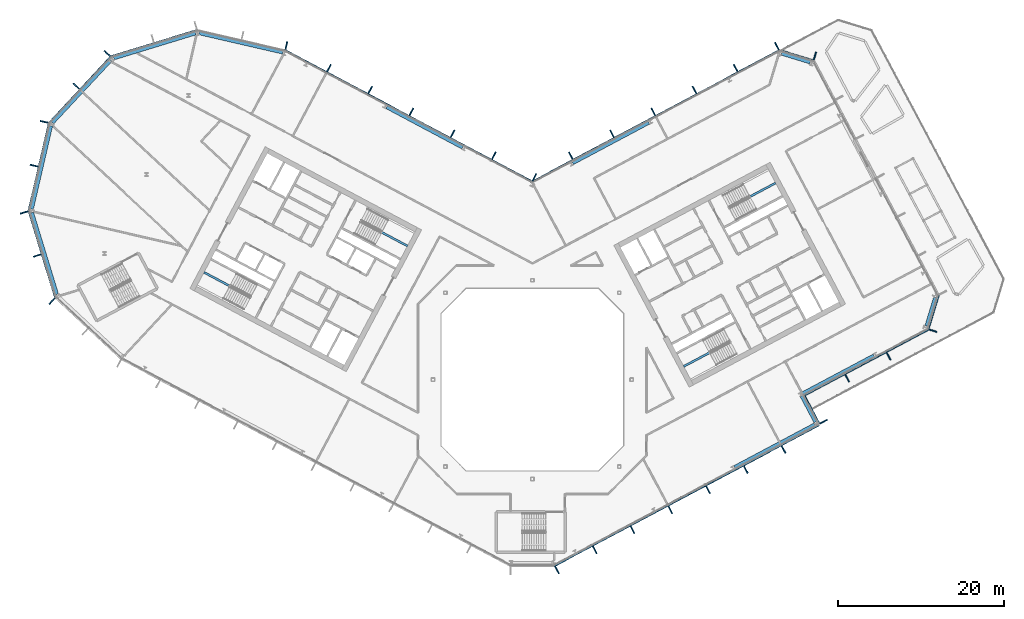
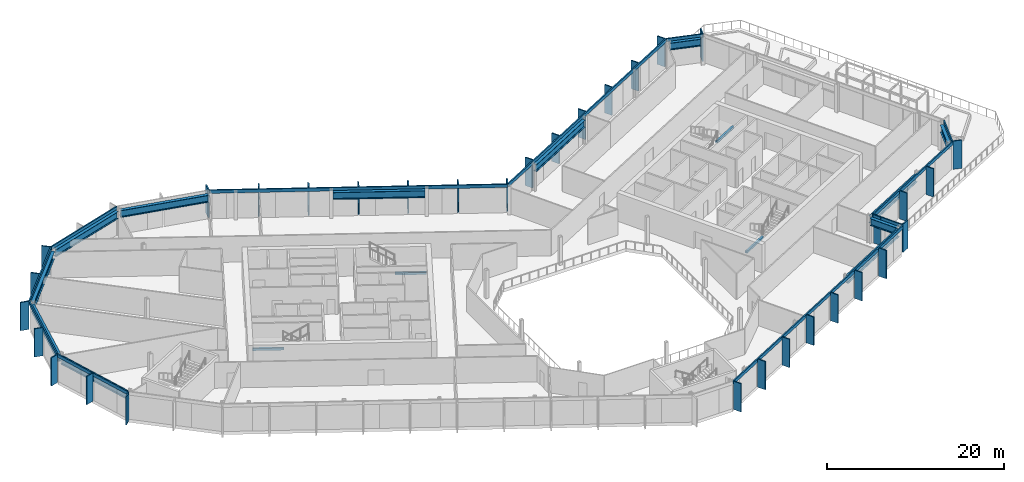
# One storey, part 9 of 31: 44 members, 16 beams, 13 elements without a shape of their own.
"""IFC4 building model written with IfcOpenShell, lengths in metres."""

from ifc_helpers import new_model, si_unit, direction, frame, origin, origin_2d, place, context, subcontext, project, spatial, rectangle, i_section, extrude, material, layer, layer_set, material_profile, profile_set, type_object, element, aggregate, save


model = new_model("IFC4")

# Units and contexts
model_context = context("Model", 3, precision=1e-05, world=origin(), true_north=direction((0.0, 1.0)))
body_context = subcontext(model_context, "Body", "Model", "MODEL_VIEW")
ifc_project = project(units=[si_unit("LENGTHUNIT", "METRE"), si_unit("AREAUNIT", "SQUARE_METRE"), si_unit("VOLUMEUNIT", "CUBIC_METRE"), si_unit("PLANEANGLEUNIT", "RADIAN"), si_unit("MASSUNIT", "GRAM", prefix="KILO")], contexts=[model_context])

# Site, building, storey
site_placement = place(None, origin())
site = spatial("IfcSite", under=ifc_project, at=site_placement, CompositionType="ELEMENT")
building_placement = place(site_placement, origin())
building = spatial("IfcBuilding", under=site, at=building_placement, Name="Cormorant Relay Tower", CompositionType="ELEMENT")
storey_placement = place(building_placement, frame((0.0, 0.0, 189.60009765625)))
storey = spatial("IfcBuildingStorey", under=building, at=storey_placement, Name="L40", CompositionType="ELEMENT", Elevation=189.60009765625)

# Curtain wall, members
ifc_material_1 = material(Name="Aluminium 6063-T6 anodised bronze", Category="aluminium")
ifc_layer = layer(ifc_material_1, 0.199951171875)
ifc_layer_set = layer_set([ifc_layer], Name="CW1 unitised bronze curtain wall with vertical fins")
curtain_wall_type = type_object("IfcCurtainWallType", Name="CW1 unitised bronze curtain wall with vertical fins", PredefinedType="NOTDEFINED", material=ifc_layer_set)
curtain_wall_1_placement = place(storey_placement, origin())
curtain_wall_1 = element("IfcCurtainWall", 1, at=curtain_wall_1_placement, inside=storey, type_object=curtain_wall_type, Name="CW1 curtain wall 2", PredefinedType="NOTDEFINED")
ifc_material_2 = material(Name="Aluminium 6063-T6 anodised bronze", Category="aluminium")
ifc_material_profile_1 = material_profile(ifc_material_2, rectangle(XDim=0.14990234375, YDim=1.0, at=origin_2d()), Name="AL 150x1000")
ifc_profile_set_1 = profile_set([ifc_material_profile_1], Name="Aluminium 6063-T6 anodised bronze")
member_type_1 = type_object("IfcMemberType", Name="CW1 bronze fin mullion 150 x 1000", PredefinedType="MULLION", material=ifc_profile_set_1)
member_1_placement = place(storey_placement, frame((2.9775390625, -22.99365234375, 0.0), z_axis=(0.0, 0.0, 1.0), x_axis=(0.882947592859, 0.469471562786, 0.0)))
member_1 = element("IfcMember", 2, at=member_1_placement, type_object=member_type_1, Name="CW1 fin 2.1", PredefinedType="MULLION", context=body_context, shape_type="SweptSolid", body=[
    extrude(rectangle(XDim=0.14990234375, YDim=1.0, at=origin_2d()), origin(), (0.0, 0.0, 1.0), 3.89990234375),
])
member_2_placement = place(storey_placement, frame((7.539306640625, -20.568115234375, 0.0), z_axis=(0.0, 0.0, 1.0), x_axis=(0.882947592859, 0.469471562786, 0.0)))
member_2 = element("IfcMember", 3, at=member_2_placement, type_object=member_type_1, Name="CW1 fin 2.2", PredefinedType="MULLION", context=body_context, shape_type="SweptSolid", body=[
    extrude(rectangle(XDim=0.14990234375, YDim=1.0, at=origin_2d()), origin(), (0.0, 0.0, 1.0), 3.89990234375),
])
member_3_placement = place(storey_placement, frame((12.10107421875, -18.142578125, 0.0), z_axis=(0.0, 0.0, 1.0), x_axis=(0.882947592859, 0.469471562786, 0.0)))
member_3 = element("IfcMember", 4, at=member_3_placement, type_object=member_type_1, Name="CW1 fin 2.3", PredefinedType="MULLION", context=body_context, shape_type="SweptSolid", body=[
    extrude(rectangle(XDim=0.14990234375, YDim=1.0, at=origin_2d()), origin(), (0.0, 0.0, 1.0), 3.89990234375),
])
member_4_placement = place(storey_placement, frame((16.662841796875, -15.717041015625, 0.0), z_axis=(0.0, 0.0, 1.0), x_axis=(0.882947592859, 0.469471562786, 0.0)))
member_4 = element("IfcMember", 5, at=member_4_placement, type_object=member_type_1, Name="CW1 fin 2.4", PredefinedType="MULLION", context=body_context, shape_type="SweptSolid", body=[
    extrude(rectangle(XDim=0.14990234375, YDim=1.0, at=origin_2d()), origin(), (0.0, 0.0, 1.0), 3.89990234375),
])
member_5_placement = place(storey_placement, frame((21.224609375, -13.29150390625, 0.0), z_axis=(0.0, 0.0, 1.0), x_axis=(0.882947592859, 0.469471562786, 0.0)))
member_5 = element("IfcMember", 6, at=member_5_placement, type_object=member_type_1, Name="CW1 fin 2.5", PredefinedType="MULLION", context=body_context, shape_type="SweptSolid", body=[
    extrude(rectangle(XDim=0.14990234375, YDim=1.0, at=origin_2d()), origin(), (0.0, 0.0, 1.0), 3.89990234375),
])
member_6_placement = place(storey_placement, frame((25.78662109375, -10.865966796875, 0.0), z_axis=(0.0, 0.0, 1.0), x_axis=(0.882947592859, 0.469471562786, 0.0)))
member_6 = element("IfcMember", 7, at=member_6_placement, type_object=member_type_1, Name="CW1 fin 2.6", PredefinedType="MULLION", context=body_context, shape_type="SweptSolid", body=[
    extrude(rectangle(XDim=0.14990234375, YDim=1.0, at=origin_2d()), origin(), (0.0, 0.0, 1.0), 3.89990234375),
])
member_7_placement = place(storey_placement, frame((30.348388671875, -8.440185546875, 0.0), z_axis=(0.0, 0.0, 1.0), x_axis=(0.882947592859, 0.469471562786, 0.0)))
member_7 = element("IfcMember", 8, at=member_7_placement, type_object=member_type_1, Name="CW1 fin 2.7", PredefinedType="MULLION", context=body_context, shape_type="SweptSolid", body=[
    extrude(rectangle(XDim=0.14990234375, YDim=1.0, at=origin_2d()), origin(), (0.0, 0.0, 1.0), 3.89990234375),
])

# Curtain wall, member
curtain_wall_2_placement = place(storey_placement, origin())
curtain_wall_2 = element("IfcCurtainWall", 9, at=curtain_wall_2_placement, inside=storey, type_object=curtain_wall_type, Name="CW1 curtain wall 3", PredefinedType="NOTDEFINED")
member_8_placement = place(storey_placement, frame((35.199462890625, -5.068115234375, 0.0), z_axis=(0.0, 0.0, 1.0), x_axis=(-0.469471562786, 0.882947592859, 0.0)))
member_8 = element("IfcMember", 10, at=member_8_placement, type_object=member_type_1, Name="CW1 fin 3.1", PredefinedType="MULLION", context=body_context, shape_type="SweptSolid", body=[
    extrude(rectangle(XDim=0.14990234375, YDim=1.0, at=origin_2d()), origin(), (0.0, 0.0, 1.0), 3.89990234375),
])

# Curtain wall, members
curtain_wall_3_placement = place(storey_placement, origin())
curtain_wall_3 = element("IfcCurtainWall", 11, at=curtain_wall_3_placement, inside=storey, type_object=curtain_wall_type, Name="CW1 curtain wall 4", PredefinedType="NOTDEFINED")
member_9_placement = place(storey_placement, frame((33.098388671875, -2.44775390625, 0.0), z_axis=(0.0, 0.0, 1.0), x_axis=(0.882947592859, 0.469471562786, 0.0)))
member_9 = element("IfcMember", 12, at=member_9_placement, type_object=member_type_1, Name="CW1 fin 4.1", PredefinedType="MULLION", context=body_context, shape_type="SweptSolid", body=[
    extrude(rectangle(XDim=0.14990234375, YDim=1.0, at=origin_2d()), origin(), (0.0, 0.0, 1.0), 3.89990234375),
])
member_10_placement = place(storey_placement, frame((38.035400390625, 0.177490234375, 0.0), z_axis=(0.0, 0.0, 1.0), x_axis=(0.882947592859, 0.469471562786, 0.0)))
member_10 = element("IfcMember", 13, at=member_10_placement, type_object=member_type_1, Name="CW1 fin 4.2", PredefinedType="MULLION", context=body_context, shape_type="SweptSolid", body=[
    extrude(rectangle(XDim=0.14990234375, YDim=1.0, at=origin_2d()), origin(), (0.0, 0.0, 1.0), 3.89990234375),
])
member_11_placement = place(storey_placement, frame((43.038818359375, 2.837646484375, 0.0), z_axis=(0.0, 0.0, 1.0), x_axis=(0.882947592859, 0.469471562786, 0.0)))
member_11 = element("IfcMember", 14, at=member_11_placement, type_object=member_type_1, Name="CW1 fin 4.3", PredefinedType="MULLION", context=body_context, shape_type="SweptSolid", body=[
    extrude(rectangle(XDim=0.14990234375, YDim=1.0, at=origin_2d()), origin(), (0.0, 0.0, 1.0), 3.89990234375),
])

# Curtain wall, member
curtain_wall_4_placement = place(storey_placement, origin())
curtain_wall_4 = element("IfcCurtainWall", 15, at=curtain_wall_4_placement, inside=storey, type_object=curtain_wall_type, Name="CW1 curtain wall 5", PredefinedType="NOTDEFINED")
member_12_placement = place(storey_placement, frame((48.383056640625, 5.91162109375, 0.0), z_axis=(0.0, 0.0, 1.0), x_axis=(0.292371704723, 0.956304755963, 0.0)))
member_12 = element("IfcMember", 16, at=member_12_placement, type_object=member_type_1, Name="CW1 fin 5.1", PredefinedType="MULLION", context=body_context, shape_type="SweptSolid", body=[
    extrude(rectangle(XDim=0.14990234375, YDim=1.0, at=origin_2d()), origin(), (0.0, 0.0, 1.0), 3.89990234375),
])

curtain_wall_5_placement = place(storey_placement, origin())
curtain_wall_5 = element("IfcCurtainWall", 17, at=curtain_wall_5_placement, inside=storey, type_object=curtain_wall_type, Name="CW1 curtain wall 7", PredefinedType="NOTDEFINED")
member_13_placement = place(storey_placement, frame((34.1357421875, 39.09716796875, 0.0), z_axis=(0.0, 0.0, 1.0), x_axis=(-0.956304755963, 0.292371704723, 0.0)))
member_13 = element("IfcMember", 18, at=member_13_placement, type_object=member_type_1, Name="CW1 fin 7.1", PredefinedType="MULLION", context=body_context, shape_type="SweptSolid", body=[
    extrude(rectangle(XDim=0.14990234375, YDim=1.0, at=origin_2d()), origin(), (0.0, 0.0, 1.0), 3.89990234375),
])

# Curtain wall, members
curtain_wall_6_placement = place(storey_placement, origin())
curtain_wall_6 = element("IfcCurtainWall", 19, at=curtain_wall_6_placement, inside=storey, type_object=curtain_wall_type, Name="CW1 curtain wall 8", PredefinedType="NOTDEFINED")
member_14_placement = place(storey_placement, frame((29.545166015625, 40.2861328125, 0.0), z_axis=(0.0, 0.0, 1.0), x_axis=(-0.882947592859, -0.469471562786, 0.0)))
member_14 = element("IfcMember", 20, at=member_14_placement, type_object=member_type_1, Name="CW1 fin 8.1", PredefinedType="MULLION", context=body_context, shape_type="SweptSolid", body=[
    extrude(rectangle(XDim=0.14990234375, YDim=1.0, at=origin_2d()), origin(), (0.0, 0.0, 1.0), 3.89990234375),
])
member_15_placement = place(storey_placement, frame((24.566162109375, 37.638916015625, 0.0), z_axis=(0.0, 0.0, 1.0), x_axis=(-0.882947592859, -0.469471562786, 0.0)))
member_15 = element("IfcMember", 21, at=member_15_placement, type_object=member_type_1, Name="CW1 fin 8.2", PredefinedType="MULLION", context=body_context, shape_type="SweptSolid", body=[
    extrude(rectangle(XDim=0.14990234375, YDim=1.0, at=origin_2d()), origin(), (0.0, 0.0, 1.0), 3.89990234375),
])
member_16_placement = place(storey_placement, frame((19.587158203125, 34.991455078125, 0.0), z_axis=(0.0, 0.0, 1.0), x_axis=(-0.882947592859, -0.469471562786, 0.0)))
member_16 = element("IfcMember", 22, at=member_16_placement, type_object=member_type_1, Name="CW1 fin 8.3", PredefinedType="MULLION", context=body_context, shape_type="SweptSolid", body=[
    extrude(rectangle(XDim=0.14990234375, YDim=1.0, at=origin_2d()), origin(), (0.0, 0.0, 1.0), 3.89990234375),
])
member_17_placement = place(storey_placement, frame((14.608154296875, 32.343994140625, 0.0), z_axis=(0.0, 0.0, 1.0), x_axis=(-0.882947592859, -0.469471562786, 0.0)))
member_17 = element("IfcMember", 23, at=member_17_placement, type_object=member_type_1, Name="CW1 fin 8.4", PredefinedType="MULLION", context=body_context, shape_type="SweptSolid", body=[
    extrude(rectangle(XDim=0.14990234375, YDim=1.0, at=origin_2d()), origin(), (0.0, 0.0, 1.0), 3.89990234375),
])
member_18_placement = place(storey_placement, frame((9.62939453125, 29.69677734375, 0.0), z_axis=(0.0, 0.0, 1.0), x_axis=(-0.882947592859, -0.469471562786, 0.0)))
member_18 = element("IfcMember", 24, at=member_18_placement, type_object=member_type_1, Name="CW1 fin 8.5", PredefinedType="MULLION", context=body_context, shape_type="SweptSolid", body=[
    extrude(rectangle(XDim=0.14990234375, YDim=1.0, at=origin_2d()), origin(), (0.0, 0.0, 1.0), 3.89990234375),
])
member_19_placement = place(storey_placement, frame((4.650390625, 27.04931640625, 0.0), z_axis=(0.0, 0.0, 1.0), x_axis=(-0.882947592859, -0.469471562786, 0.0)))
member_19 = element("IfcMember", 25, at=member_19_placement, type_object=member_type_1, Name="CW1 fin 8.6", PredefinedType="MULLION", context=body_context, shape_type="SweptSolid", body=[
    extrude(rectangle(XDim=0.14990234375, YDim=1.0, at=origin_2d()), origin(), (0.0, 0.0, 1.0), 3.89990234375),
])

curtain_wall_7_placement = place(storey_placement, origin())
curtain_wall_7 = element("IfcCurtainWall", 26, at=curtain_wall_7_placement, inside=storey, type_object=curtain_wall_type, Name="CW1 curtain wall 9", PredefinedType="NOTDEFINED")
member_20_placement = place(storey_placement, frame((0.262451171875, 24.437255859375, 0.0), z_axis=(0.0, 0.0, 1.0), x_axis=(-0.882947592859, 0.469471562786, 0.0)))
member_20 = element("IfcMember", 27, at=member_20_placement, type_object=member_type_1, Name="CW1 fin 9.1", PredefinedType="MULLION", context=body_context, shape_type="SweptSolid", body=[
    extrude(rectangle(XDim=0.14990234375, YDim=1.0, at=origin_2d()), origin(), (0.0, 0.0, 1.0), 3.89990234375),
])
member_21_placement = place(storey_placement, frame((-4.650390625, 27.04931640625, 0.0), z_axis=(0.0, 0.0, 1.0), x_axis=(-0.882947592859, 0.469471562786, 0.0)))
member_21 = element("IfcMember", 28, at=member_21_placement, type_object=member_type_1, Name="CW1 fin 9.2", PredefinedType="MULLION", context=body_context, shape_type="SweptSolid", body=[
    extrude(rectangle(XDim=0.14990234375, YDim=1.0, at=origin_2d()), origin(), (0.0, 0.0, 1.0), 3.89990234375),
])
member_22_placement = place(storey_placement, frame((-9.62939453125, 29.69677734375, 0.0), z_axis=(0.0, 0.0, 1.0), x_axis=(-0.882947592859, 0.469471562786, 0.0)))
member_22 = element("IfcMember", 29, at=member_22_placement, type_object=member_type_1, Name="CW1 fin 9.3", PredefinedType="MULLION", context=body_context, shape_type="SweptSolid", body=[
    extrude(rectangle(XDim=0.14990234375, YDim=1.0, at=origin_2d()), origin(), (0.0, 0.0, 1.0), 3.89990234375),
])
member_23_placement = place(storey_placement, frame((-14.608154296875, 32.343994140625, 0.0), z_axis=(0.0, 0.0, 1.0), x_axis=(-0.882947592859, 0.469471562786, 0.0)))
member_23 = element("IfcMember", 30, at=member_23_placement, type_object=member_type_1, Name="CW1 fin 9.4", PredefinedType="MULLION", context=body_context, shape_type="SweptSolid", body=[
    extrude(rectangle(XDim=0.14990234375, YDim=1.0, at=origin_2d()), origin(), (0.0, 0.0, 1.0), 3.89990234375),
])
member_24_placement = place(storey_placement, frame((-19.587158203125, 34.991455078125, 0.0), z_axis=(0.0, 0.0, 1.0), x_axis=(-0.882947592859, 0.469471562786, 0.0)))
member_24 = element("IfcMember", 31, at=member_24_placement, type_object=member_type_1, Name="CW1 fin 9.5", PredefinedType="MULLION", context=body_context, shape_type="SweptSolid", body=[
    extrude(rectangle(XDim=0.14990234375, YDim=1.0, at=origin_2d()), origin(), (0.0, 0.0, 1.0), 3.89990234375),
])
member_25_placement = place(storey_placement, frame((-24.566162109375, 37.638916015625, 0.0), z_axis=(0.0, 0.0, 1.0), x_axis=(-0.882947592859, 0.469471562786, 0.0)))
member_25 = element("IfcMember", 32, at=member_25_placement, type_object=member_type_1, Name="CW1 fin 9.6", PredefinedType="MULLION", context=body_context, shape_type="SweptSolid", body=[
    extrude(rectangle(XDim=0.14990234375, YDim=1.0, at=origin_2d()), origin(), (0.0, 0.0, 1.0), 3.89990234375),
])

# Curtain wall, member
curtain_wall_8_placement = place(storey_placement, origin())
curtain_wall_8 = element("IfcCurtainWall", 33, at=curtain_wall_8_placement, inside=storey, type_object=curtain_wall_type, Name="CW1 curtain wall 10", PredefinedType="NOTDEFINED")
member_26_placement = place(storey_placement, frame((-29.71630859375, 40.35009765625, 0.0), z_axis=(0.0, 0.0, 1.0), x_axis=(-0.974370064785, 0.224951054344, 0.0)))
member_26 = element("IfcMember", 34, at=member_26_placement, type_object=member_type_1, Name="CW1 fin 10.1", PredefinedType="MULLION", context=body_context, shape_type="SweptSolid", body=[
    extrude(rectangle(XDim=0.14990234375, YDim=1.0, at=origin_2d()), origin(), (0.0, 0.0, 1.0), 3.89990234375),
])
aggregate(curtain_wall_8, [member_26])

# Curtain wall, members
curtain_wall_9_placement = place(storey_placement, origin())
curtain_wall_9 = element("IfcCurtainWall", 35, at=curtain_wall_9_placement, inside=storey, type_object=curtain_wall_type, Name="CW1 curtain wall 12", PredefinedType="NOTDEFINED")
member_27_placement = place(storey_placement, frame((-51.372802734375, 39.41259765625, 0.0), z_axis=(0.0, 0.0, 1.0), x_axis=(-0.681998360062, -0.731353701619, 0.0)))
member_27 = element("IfcMember", 36, at=member_27_placement, type_object=member_type_1, Name="CW1 fin 12.1", PredefinedType="MULLION", context=body_context, shape_type="SweptSolid", body=[
    extrude(rectangle(XDim=0.14990234375, YDim=1.0, at=origin_2d()), origin(), (0.0, 0.0, 1.0), 3.89990234375),
])
member_28_placement = place(storey_placement, frame((-55.07958984375, 35.4375, 0.0), z_axis=(0.0, 0.0, 1.0), x_axis=(-0.681998360062, -0.731353701619, 0.0)))
member_28 = element("IfcMember", 37, at=member_28_placement, type_object=member_type_1, Name="CW1 fin 12.2", PredefinedType="MULLION", context=body_context, shape_type="SweptSolid", body=[
    extrude(rectangle(XDim=0.14990234375, YDim=1.0, at=origin_2d()), origin(), (0.0, 0.0, 1.0), 3.89990234375),
])

curtain_wall_10_placement = place(storey_placement, origin())
curtain_wall_10 = element("IfcCurtainWall", 38, at=curtain_wall_10_placement, inside=storey, type_object=curtain_wall_type, Name="CW1 curtain wall 13", PredefinedType="NOTDEFINED")
member_29_placement = place(storey_placement, frame((-58.95654296875, 31.142578125, 0.0), z_axis=(0.0, 0.0, 1.0), x_axis=(-0.224951054344, -0.974370064785, 0.0)))
member_29 = element("IfcMember", 39, at=member_29_placement, type_object=member_type_1, Name="CW1 fin 13.1", PredefinedType="MULLION", context=body_context, shape_type="SweptSolid", body=[
    extrude(rectangle(XDim=0.14990234375, YDim=1.0, at=origin_2d()), origin(), (0.0, 0.0, 1.0), 3.89990234375),
])
member_30_placement = place(storey_placement, frame((-60.17919921875, 25.8466796875, 0.0), z_axis=(0.0, 0.0, 1.0), x_axis=(-0.224951054344, -0.974370064785, 0.0)))
member_30 = element("IfcMember", 40, at=member_30_placement, type_object=member_type_1, Name="CW1 fin 13.2", PredefinedType="MULLION", context=body_context, shape_type="SweptSolid", body=[
    extrude(rectangle(XDim=0.14990234375, YDim=1.0, at=origin_2d()), origin(), (0.0, 0.0, 1.0), 3.89990234375),
])

curtain_wall_11_placement = place(storey_placement, origin())
curtain_wall_11 = element("IfcCurtainWall", 41, at=curtain_wall_11_placement, inside=storey, type_object=curtain_wall_type, Name="CW1 curtain wall 14", PredefinedType="NOTDEFINED")
member_31_placement = place(storey_placement, frame((-61.389404296875, 20.188720703125, 0.0), z_axis=(0.0, 0.0, 1.0), x_axis=(0.292371704723, -0.956304755963, 0.0)))
member_31 = element("IfcMember", 42, at=member_31_placement, type_object=member_type_1, Name="CW1 fin 14.1", PredefinedType="MULLION", context=body_context, shape_type="SweptSolid", body=[
    extrude(rectangle(XDim=0.14990234375, YDim=1.0, at=origin_2d()), origin(), (0.0, 0.0, 1.0), 3.89990234375),
])
member_32_placement = place(storey_placement, frame((-59.80029296875, 14.990966796875, 0.0), z_axis=(0.0, 0.0, 1.0), x_axis=(0.292371704723, -0.956304755963, 0.0)))
member_32 = element("IfcMember", 43, at=member_32_placement, type_object=member_type_1, Name="CW1 fin 14.2", PredefinedType="MULLION", context=body_context, shape_type="SweptSolid", body=[
    extrude(rectangle(XDim=0.14990234375, YDim=1.0, at=origin_2d()), origin(), (0.0, 0.0, 1.0), 3.89990234375),
])

# Curtain wall, member
curtain_wall_12_placement = place(storey_placement, origin())
curtain_wall_12 = element("IfcCurtainWall", 44, at=curtain_wall_12_placement, inside=storey, type_object=curtain_wall_type, Name="CW1 curtain wall 15", PredefinedType="NOTDEFINED")
member_33_placement = place(storey_placement, frame((-58.01904296875, 9.486083984375, 0.0), z_axis=(0.0, 0.0, 1.0), x_axis=(0.731353701619, -0.681998360062, 0.0)))
member_33 = element("IfcMember", 45, at=member_33_placement, type_object=member_type_1, Name="CW1 fin 15.1", PredefinedType="MULLION", context=body_context, shape_type="SweptSolid", body=[
    extrude(rectangle(XDim=0.14990234375, YDim=1.0, at=origin_2d()), origin(), (0.0, 0.0, 1.0), 3.89990234375),
])
aggregate(curtain_wall_12, [member_33])

# Member
ifc_material_3 = material(Name="Aluminium 6063-T6 anodised bronze", Category="aluminium")
ifc_material_profile_2 = material_profile(ifc_material_3, rectangle(XDim=0.159912109375, YDim=0.449951171875, at=origin_2d()), Name="AL 160x450")
ifc_profile_set_2 = profile_set([ifc_material_profile_2], Name="Aluminium 6063-T6 anodised bronze")
member_type_2 = type_object("IfcMemberType", Name="CW1 bronze transom 160 x 450", PredefinedType="USERDEFINED", material=ifc_profile_set_2)
member_34_placement = place(storey_placement, frame((2.705078125, -22.4814453125, 3.6748046875), z_axis=(0.882948899141, 0.469469106018, 0.0), x_axis=(-0.469469106018, 0.882948899141, 0.0)))
member_34 = element("IfcMember", 46, at=member_34_placement, type_object=member_type_2, Name="CW1 transom 2", ObjectType="TRANSOM", PredefinedType="USERDEFINED", context=body_context, shape_type="SweptSolid", body=[
    extrude(rectangle(XDim=0.159912109375, YDim=0.449951171875, at=origin_2d()), origin(), (0.0, 0.0, 1.0), 36.165771484375),
])

aggregate(curtain_wall_1, [member_1, member_2, member_3, member_4, member_5, member_6, member_7, member_34])

member_35_placement = place(storey_placement, frame((34.6875, -5.34033203125, 3.6748046875), z_axis=(-0.469485426614, 0.882940221191, 0.0), x_axis=(-0.882940221191, -0.469485426614, 0.0)))
member_35 = element("IfcMember", 47, at=member_35_placement, type_object=member_type_2, Name="CW1 transom 3", ObjectType="TRANSOM", PredefinedType="USERDEFINED", context=body_context, shape_type="SweptSolid", body=[
    extrude(rectangle(XDim=0.159912109375, YDim=0.449951171875, at=origin_2d()), origin(), (0.0, 0.0, 1.0), 4.0),
])

aggregate(curtain_wall_2, [member_8, member_35])

member_36_placement = place(storey_placement, frame((32.760009765625, -1.970947265625, 3.6748046875), z_axis=(0.882941803911, 0.469482450052, 0.0), x_axis=(-0.469482450052, 0.882941803911, 0.0)))
member_36 = element("IfcMember", 48, at=member_36_placement, type_object=member_type_2, Name="CW1 transom 4", ObjectType="TRANSOM", PredefinedType="USERDEFINED", context=body_context, shape_type="SweptSolid", body=[
    extrude(rectangle(XDim=0.159912109375, YDim=0.449951171875, at=origin_2d()), origin(), (0.0, 0.0, 1.0), 17.0),
])

aggregate(curtain_wall_3, [member_9, member_10, member_11, member_36])

member_37_placement = place(storey_placement, frame((47.828369140625, 6.0810546875, 3.6748046875), z_axis=(0.292391046905, 0.95629884225, 0.0), x_axis=(-0.95629884225, 0.292391046905, 0.0)))
member_37 = element("IfcMember", 49, at=member_37_placement, type_object=member_type_2, Name="CW1 transom 5", ObjectType="TRANSOM", PredefinedType="USERDEFINED", context=body_context, shape_type="SweptSolid", body=[
    extrude(rectangle(XDim=0.159912109375, YDim=0.449951171875, at=origin_2d()), origin(), (0.0, 0.0, 1.0), 4.242431640625),
])

aggregate(curtain_wall_4, [member_12, member_37])

member_38_placement = place(storey_placement, frame((33.966064453125, 38.54248046875, 3.6748046875), z_axis=(-0.956303761594, 0.292374957137, 0.0), x_axis=(-0.292374957137, -0.956303761594, 0.0)))
member_38 = element("IfcMember", 50, at=member_38_placement, type_object=member_type_2, Name="CW1 transom 7", ObjectType="TRANSOM", PredefinedType="USERDEFINED", context=body_context, shape_type="SweptSolid", body=[
    extrude(rectangle(XDim=0.159912109375, YDim=0.449951171875, at=origin_2d()), origin(), (0.0, 0.0, 1.0), 4.24267578125),
])

aggregate(curtain_wall_5, [member_13, member_38])

member_39_placement = place(storey_placement, frame((29.8173828125, 39.774169921875, 3.6748046875), z_axis=(-0.882946280328, -0.46947403129, 0.0), x_axis=(0.46947403129, -0.882946280328, 0.0)))
member_39 = element("IfcMember", 51, at=member_39_placement, type_object=member_type_2, Name="CW1 transom 8", ObjectType="TRANSOM", PredefinedType="USERDEFINED", context=body_context, shape_type="SweptSolid", body=[
    extrude(rectangle(XDim=0.159912109375, YDim=0.449951171875, at=origin_2d()), origin(), (0.0, 0.0, 1.0), 33.834228515625),
])

aggregate(curtain_wall_6, [member_14, member_15, member_16, member_17, member_18, member_19, member_39])

member_40_placement = place(storey_placement, frame((0.056396484375, 23.889892578125, 3.6748046875), z_axis=(-0.882946280328, 0.46947403129, 0.0), x_axis=(-0.46947403129, -0.882946280328, 0.0)))
member_40 = element("IfcMember", 52, at=member_40_placement, type_object=member_type_2, Name="CW1 transom 9", ObjectType="TRANSOM", PredefinedType="USERDEFINED", context=body_context, shape_type="SweptSolid", body=[
    extrude(rectangle(XDim=0.159912109375, YDim=0.449951171875, at=origin_2d()), origin(), (0.0, 0.0, 1.0), 33.834228515625),
])

aggregate(curtain_wall_7, [member_20, member_21, member_22, member_23, member_24, member_25, member_40])

# Curtain wall, member
curtain_wall_13_placement = place(storey_placement, origin())
curtain_wall_13 = element("IfcCurtainWall", 53, at=curtain_wall_13_placement, inside=storey, type_object=curtain_wall_type, Name="CW1 curtain wall 11", PredefinedType="NOTDEFINED")
member_41_placement = place(storey_placement, frame((-40.50048828125, 42.228271484375, 3.6748046875), z_axis=(-0.956304833932, -0.292371449698, 0.0), x_axis=(0.292371449698, -0.956304833932, 0.0)))
member_41 = element("IfcMember", 54, at=member_41_placement, type_object=member_type_2, Name="CW1 transom 11", ObjectType="TRANSOM", PredefinedType="USERDEFINED", context=body_context, shape_type="SweptSolid", body=[
    extrude(rectangle(XDim=0.159912109375, YDim=0.449951171875, at=origin_2d()), origin(), (0.0, 0.0, 1.0), 10.87060546875),
])
aggregate(curtain_wall_13, [member_41])

# Member
member_42_placement = place(storey_placement, frame((-50.94873046875, 39.01708984375, 3.6748046875), z_axis=(-0.681993299437, -0.731358420696, 0.0), x_axis=(0.731358420696, -0.681993299437, 0.0)))
member_42 = element("IfcMember", 55, at=member_42_placement, type_object=member_type_2, Name="CW1 transom 12", ObjectType="TRANSOM", PredefinedType="USERDEFINED", context=body_context, shape_type="SweptSolid", body=[
    extrude(rectangle(XDim=0.159912109375, YDim=0.449951171875, at=origin_2d()), origin(), (0.0, 0.0, 1.0), 10.870361328125),
])

aggregate(curtain_wall_9, [member_27, member_28, member_42])

member_43_placement = place(storey_placement, frame((-58.3916015625, 31.01220703125, 3.6748046875), z_axis=(-0.22495136131, -0.974369993916, 0.0), x_axis=(0.974369993916, -0.22495136131, 0.0)))
member_43 = element("IfcMember", 56, at=member_43_placement, type_object=member_type_2, Name="CW1 transom 13", ObjectType="TRANSOM", PredefinedType="USERDEFINED", context=body_context, shape_type="SweptSolid", body=[
    extrude(rectangle(XDim=0.159912109375, YDim=0.449951171875, at=origin_2d()), origin(), (0.0, 0.0, 1.0), 10.870361328125),
])

aggregate(curtain_wall_10, [member_29, member_30, member_43])

member_44_placement = place(storey_placement, frame((-60.834716796875, 20.358154296875, 3.6748046875), z_axis=(0.292377729282, -0.95630291405, 0.0), x_axis=(0.95630291405, 0.292377729282, 0.0)))
member_44 = element("IfcMember", 57, at=member_44_placement, type_object=member_type_2, Name="CW1 transom 14", ObjectType="TRANSOM", PredefinedType="USERDEFINED", context=body_context, shape_type="SweptSolid", body=[
    extrude(rectangle(XDim=0.159912109375, YDim=0.449951171875, at=origin_2d()), origin(), (0.0, 0.0, 1.0), 10.870361328125),
])

aggregate(curtain_wall_11, [member_31, member_32, member_44])

# Beams
ifc_material_4 = material(Name="Steel ASTM A992 (Fy 345 MPa)", Category="steel")
ifc_material_profile_3 = material_profile(ifc_material_4, i_section(OverallWidth=0.4013671875, OverallDepth=0.990478515625, WebThickness=0.0166015625, FlangeThickness=0.031005859375, FilletRadius=0.030029296875, at=origin_2d()), Name="W1000x320")
ifc_profile_set_3 = profile_set([ifc_material_profile_3], Name="Steel ASTM A992 (Fy 345 MPa)")
beam_type_1 = type_object("IfcBeamType", Name="Spandrel W1000x320", PredefinedType="SPANDREL", material=ifc_profile_set_3)
beam_1_placement = place(storey_placement, frame((24.423583984375, -10.5703125, 3.044677734375), z_axis=(0.882952735253, 0.469461891221, 0.0), x_axis=(-0.469461891221, 0.882952735253, 0.0)))
element("IfcBeam", 58, at=beam_1_placement, inside=storey, type_object=beam_type_1, Name="Spandrel beam L40-002", PredefinedType="SPANDREL", context=body_context, shape_type="SweptSolid", body=[
    extrude(i_section(OverallWidth=0.4013671875, OverallDepth=0.990478515625, WebThickness=0.0166015625, FlangeThickness=0.031005859375, FilletRadius=0.030029296875, at=origin_2d()), origin(), (0.0, 0.0, 1.0), 10.96142578125),
])
beam_2_placement = place(storey_placement, frame((34.20458984375, -5.115478515625, 3.044677734375), z_axis=(-0.469423552529, 0.882973118691, 0.0), x_axis=(-0.882973118691, -0.469423552529, 0.0)))
element("IfcBeam", 59, at=beam_2_placement, inside=storey, type_object=beam_type_1, Name="Spandrel beam L40-003", PredefinedType="SPANDREL", context=body_context, shape_type="SweptSolid", body=[
    extrude(i_section(OverallWidth=0.4013671875, OverallDepth=0.990478515625, WebThickness=0.0166015625, FlangeThickness=0.031005859375, FilletRadius=0.030029296875, at=origin_2d()), origin(), (0.0, 0.0, 1.0), 3.56982421875),
])
beam_3_placement = place(storey_placement, frame((32.609375, -1.687744140625, 3.044677734375), z_axis=(0.882948215634, 0.469470391515, 0.0), x_axis=(-0.469470391515, 0.882948215634, 0.0)))
element("IfcBeam", 60, at=beam_3_placement, inside=storey, type_object=beam_type_1, Name="Spandrel beam L40-004", PredefinedType="SPANDREL", context=body_context, shape_type="SweptSolid", body=[
    extrude(i_section(OverallWidth=0.4013671875, OverallDepth=0.990478515625, WebThickness=0.0166015625, FlangeThickness=0.031005859375, FilletRadius=0.030029296875, at=origin_2d()), origin(), (0.0, 0.0, 1.0), 9.79736328125),
])
for number, where, z_axis, x_axis, name in (
    (61, (47.618896484375, 6.4921875, 3.044677734375), (0.292349563537, 0.956311524923, 0.0), (-0.956311524923, 0.292349563537, 0.0), "Spandrel beam L40-005"),
    (62, (33.5546875, 38.3330078125, 3.044677734375), (-0.956311524923, 0.292349563537, 0.0), (-0.292349563537, -0.956311524923, 0.0), "Spandrel beam L40-007"),
):
    element("IfcBeam", number, at=place(storey_placement, frame(where, z_axis=z_axis, x_axis=x_axis)), inside=storey, type_object=beam_type_1, Name=name, PredefinedType="SPANDREL", context=body_context, shape_type="SweptSolid", body=[
        extrude(i_section(OverallWidth=0.4013671875, OverallDepth=0.990478515625, WebThickness=0.0166015625, FlangeThickness=0.031005859375, FilletRadius=0.030029296875, at=origin_2d()), origin(), (0.0, 0.0, 1.0), 3.59765625),
    ])
for number, where, z_axis, x_axis, name in (
    (63, (14.0732421875, 31.03955078125, 3.044677734375), (-0.882949648898, -0.469467695918, 0.0), (0.469467695918, -0.882949648898, 0.0), "Spandrel beam L40-008"),
    (64, (-8.426025390625, 28.036865234375, 3.044677734375), (-0.882949648898, 0.469467695918, 0.0), (-0.469467695918, -0.882949648898, 0.0), "Spandrel beam L40-009"),
):
    element("IfcBeam", number, at=place(storey_placement, frame(where, z_axis=z_axis, x_axis=x_axis)), inside=storey, type_object=beam_type_1, Name=name, PredefinedType="SPANDREL", context=body_context, shape_type="SweptSolid", body=[
        extrude(i_section(OverallWidth=0.4013671875, OverallDepth=0.990478515625, WebThickness=0.0166015625, FlangeThickness=0.031005859375, FilletRadius=0.030029296875, at=origin_2d()), origin(), (0.0, 0.0, 1.0), 10.39599609375),
    ])
beam_4_placement = place(storey_placement, frame((-30.1533203125, 39.526611328125, 3.044677734375), z_axis=(-0.97436619016, 0.22496783653, 0.0), x_axis=(-0.22496783653, -0.97436619016, 0.0)))
element("IfcBeam", 65, at=beam_4_placement, inside=storey, type_object=beam_type_1, Name="Spandrel beam L40-010", PredefinedType="SPANDREL", context=body_context, shape_type="SweptSolid", body=[
    extrude(i_section(OverallWidth=0.4013671875, OverallDepth=0.990478515625, WebThickness=0.0166015625, FlangeThickness=0.031005859375, FilletRadius=0.030029296875, at=origin_2d()), origin(), (0.0, 0.0, 1.0), 10.369384765625),
])
beam_5_placement = place(storey_placement, frame((-40.680419921875, 41.837890625, 3.044677734375), z_axis=(-0.956303094801, -0.292377138084, 0.0), x_axis=(0.292377138084, -0.956303094801, 0.0)))
element("IfcBeam", 66, at=beam_5_placement, inside=storey, type_object=beam_type_1, Name="Spandrel beam L40-011", PredefinedType="SPANDREL", context=body_context, shape_type="SweptSolid", body=[
    extrude(i_section(OverallWidth=0.4013671875, OverallDepth=0.990478515625, WebThickness=0.0166015625, FlangeThickness=0.031005859375, FilletRadius=0.030029296875, at=origin_2d()), origin(), (0.0, 0.0, 1.0), 10.32421875),
])
beam_6_placement = place(storey_placement, frame((-50.90966796875, 38.5888671875, 3.044677734375), z_axis=(-0.681996285296, -0.731355636365, 0.0), x_axis=(0.731355636365, -0.681996285296, 0.0)))
element("IfcBeam", 67, at=beam_6_placement, inside=storey, type_object=beam_type_1, Name="Spandrel beam L40-012", PredefinedType="SPANDREL", context=body_context, shape_type="SweptSolid", body=[
    extrude(i_section(OverallWidth=0.4013671875, OverallDepth=0.990478515625, WebThickness=0.0166015625, FlangeThickness=0.031005859375, FilletRadius=0.030029296875, at=origin_2d()), origin(), (0.0, 0.0, 1.0), 10.32275390625),
])
beam_7_placement = place(storey_placement, frame((-58.143310546875, 30.66162109375, 3.044677734375), z_axis=(-0.224957947919, -0.974368473252, 0.0), x_axis=(0.974368473252, -0.224957947919, 0.0)))
element("IfcBeam", 68, at=beam_7_placement, inside=storey, type_object=beam_type_1, Name="Spandrel beam L40-013", PredefinedType="SPANDREL", context=body_context, shape_type="SweptSolid", body=[
    extrude(i_section(OverallWidth=0.4013671875, OverallDepth=0.990478515625, WebThickness=0.0166015625, FlangeThickness=0.031005859375, FilletRadius=0.030029296875, at=origin_2d()), origin(), (0.0, 0.0, 1.0), 10.32421875),
])
beam_8_placement = place(storey_placement, frame((-60.4443359375, 20.178466796875, 3.044677734375), z_axis=(0.29236873538, -0.956305663777, 0.0), x_axis=(0.956305663777, 0.29236873538, 0.0)))
element("IfcBeam", 69, at=beam_8_placement, inside=storey, type_object=beam_type_1, Name="Spandrel beam L40-014", PredefinedType="SPANDREL", context=body_context, shape_type="SweptSolid", body=[
    extrude(i_section(OverallWidth=0.4013671875, OverallDepth=0.990478515625, WebThickness=0.0166015625, FlangeThickness=0.031005859375, FilletRadius=0.030029296875, at=origin_2d()), origin(), (0.0, 0.0, 1.0), 10.32373046875),
])
ifc_material_5 = material(Name="Concrete 50 MPa", Category="concrete")
ifc_material_profile_4 = material_profile(ifc_material_5, rectangle(XDim=0.25, YDim=0.300048828125, at=origin_2d()), Name="RC 250x300")
ifc_profile_set_4 = profile_set([ifc_material_profile_4], Name="Concrete 50 MPa")
beam_type_2 = type_object("IfcBeamType", Name="Stair landing ledge beam 250x300", PredefinedType="BEAM", material=ifc_profile_set_4)
beam_9_placement = place(storey_placement, frame((-18.219482421875, 17.813720703125, 1.599853515625), z_axis=(0.882950035608, -0.469466968614, 0.0), x_axis=(0.469466968614, 0.882950035608, 0.0)))
element("IfcBeam", 70, at=beam_9_placement, inside=storey, type_object=beam_type_2, Name="A1 landing ledge beam", PredefinedType="BEAM", context=body_context, shape_type="SweptSolid", body=[
    extrude(rectangle(XDim=0.25, YDim=0.300048828125, at=origin_2d()), origin(), (0.0, 0.0, 1.0), 3.5498046875),
])
for number, where, z_axis, x_axis, name in (
    (71, (-36.523193359375, 11.29345703125, 1.599853515625), (-0.88293668587, 0.469492075273, 0.0), (-0.469492075273, -0.88293668587, 0.0), "A2 landing ledge beam"),
    (72, (21.4248046875, 3.265380859375, 1.599853515625), (-0.88296519247, -0.469438461235, 0.0), (0.469438461235, -0.88296519247, 0.0), "B1 landing ledge beam"),
    (73, (26.25439453125, 22.0859375, 1.599853515625), (0.88296519247, 0.469438461235, 0.0), (-0.469438461235, 0.88296519247, 0.0), "B2 landing ledge beam"),
):
    element("IfcBeam", number, at=place(storey_placement, frame(where, z_axis=z_axis, x_axis=x_axis)), inside=storey, type_object=beam_type_2, Name=name, PredefinedType="BEAM", context=body_context, shape_type="SweptSolid", body=[
        extrude(rectangle(XDim=0.25, YDim=0.300048828125, at=origin_2d()), origin(), (0.0, 0.0, 1.0), 3.550048828125),
    ])

save(model, "model.ifc")
